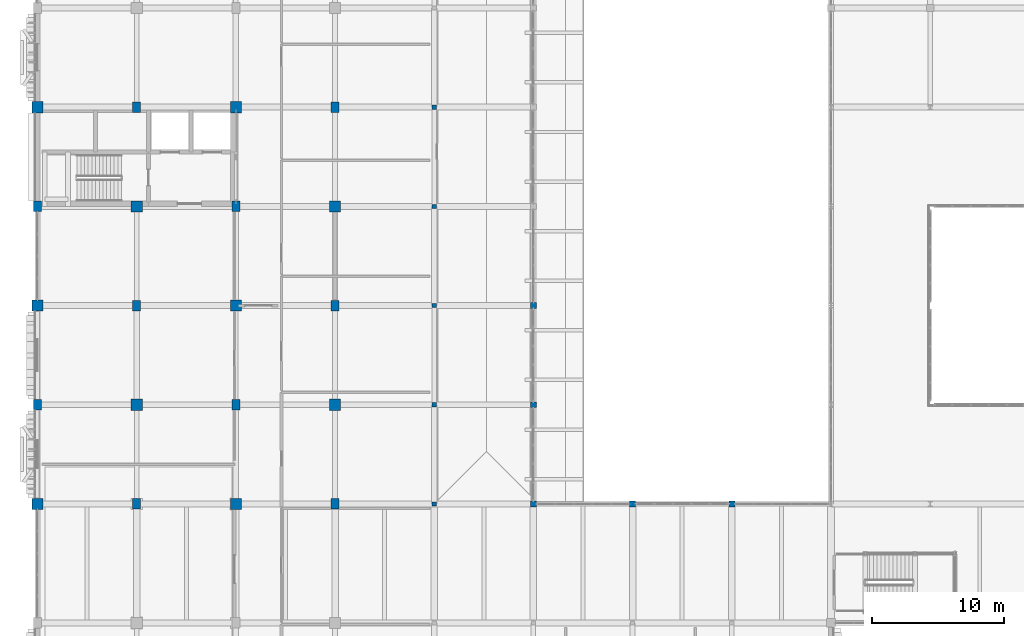
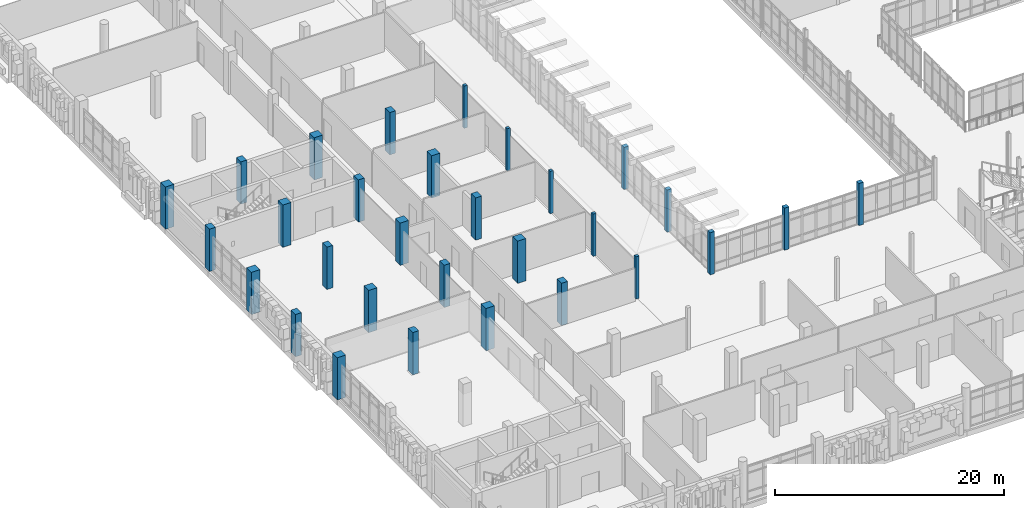
# One storey, part 3 of 128: 30 columns.
"""IFC4 building model written with IfcOpenShell, lengths in metres."""

from ifc_helpers import new_model, si_unit, direction, frame, origin, origin_2d, place, context, subcontext, project, spatial, rectangle, extrude, material, material_profile, profile_set, type_object, element, save


model = new_model("IFC4")

# Units and contexts
model_context = context("Model", 3, precision=1e-05, world=origin(), true_north=direction((0.0, 1.0)))
body_context = subcontext(model_context, "Body", "Model", "MODEL_VIEW")
ifc_project = project(units=[si_unit("LENGTHUNIT", "METRE"), si_unit("AREAUNIT", "SQUARE_METRE"), si_unit("VOLUMEUNIT", "CUBIC_METRE"), si_unit("PLANEANGLEUNIT", "RADIAN"), si_unit("MASSUNIT", "GRAM", prefix="KILO")], contexts=[model_context])

# Site, building, storey
site_placement = place(None, origin())
site = spatial("IfcSite", under=ifc_project, at=site_placement, CompositionType="ELEMENT")
building_placement = place(site_placement, origin())
building = spatial("IfcBuilding", under=site, at=building_placement, Name="Dalvernix Boulevard General Hospital", CompositionType="ELEMENT")
storey_placement = place(building_placement, frame((0.0, 0.0, 4.800048828125)))
storey = spatial("IfcBuildingStorey", under=building, at=storey_placement, Name="L01", CompositionType="ELEMENT", Elevation=4.800048828125)

# Columns
ifc_material_1 = material(Name="Concrete C40/50", Category="concrete")
ifc_material_profile_1 = material_profile(ifc_material_1, rectangle(XDim=0.85009765625, YDim=0.85009765625, at=origin_2d()), Name="RC 850x850")
ifc_profile_set_1 = profile_set([ifc_material_profile_1], Name="Concrete C40/50")
column_type_1 = type_object("IfcColumnType", Name="COL-C-02-E", PredefinedType="COLUMN", material=ifc_profile_set_1)
for number, where, z_axis, x_axis, name in (
    (1, (0.0, 31.5, 0.0), (0.0, 0.0, 1.0), (1.0, 0.0, 0.0), "L01 column 1E"),
    (2, (0.0, 46.5, 0.0), (0.0, 0.0, 1.0), (1.0, 0.0, 0.0), "L01 column 1G"),
    (3, (0.0, 61.5, 0.0), (0.0, 0.0, 1.0), (1.0, 0.0, 0.0), "L01 column 1J"),
):
    element("IfcColumn", number, at=place(storey_placement, frame(where, z_axis=z_axis, x_axis=x_axis)), inside=storey, type_object=column_type_1, Name=name, PredefinedType="COLUMN", context=body_context, shape_type="SweptSolid", body=[
        extrude(rectangle(XDim=0.85009765625, YDim=0.85009765625, at=origin_2d()), origin(), (0.0, 0.0, 1.0), 4.5),
    ])
ifc_material_profile_2 = material_profile(ifc_material_1, rectangle(XDim=0.85009765625, YDim=0.85009765625, at=origin_2d()), Name="RC 850x850")
ifc_profile_set_2 = profile_set([ifc_material_profile_2], Name="Concrete C40/50")
column_type_2 = type_object("IfcColumnType", Name="COL-C-02-I", PredefinedType="COLUMN", material=ifc_profile_set_2)
for number, where, z_axis, x_axis, name in (
    (4, (7.5, 39.0, 0.0), (0.0, 0.0, 1.0), (1.0, 0.0, 0.0), "L01 column 2F"),
    (5, (7.5, 54.0, 0.0), (0.0, 0.0, 1.0), (1.0, 0.0, 0.0), "L01 column 2H"),
    (6, (15.0, 31.5, 0.0), (0.0, 0.0, 1.0), (1.0, 0.0, 0.0), "L01 column 3E"),
    (7, (15.0, 46.5, 0.0), (0.0, 0.0, 1.0), (1.0, 0.0, 0.0), "L01 column 3G"),
    (8, (15.0, 61.5, 0.0), (0.0, 0.0, 1.0), (1.0, 0.0, 0.0), "L01 column 3J"),
    (9, (22.5, 39.0, 0.0), (0.0, 0.0, 1.0), (1.0, 0.0, 0.0), "L01 column 4F"),
    (10, (22.5, 54.0, 0.0), (0.0, 0.0, 1.0), (1.0, 0.0, 0.0), "L01 column 4H"),
):
    element("IfcColumn", number, at=place(storey_placement, frame(where, z_axis=z_axis, x_axis=x_axis)), inside=storey, type_object=column_type_2, Name=name, PredefinedType="COLUMN", context=body_context, shape_type="SweptSolid", body=[
        extrude(rectangle(XDim=0.85009765625, YDim=0.85009765625, at=origin_2d()), origin(), (0.0, 0.0, 1.0), 4.5),
    ])
ifc_material_profile_3 = material_profile(ifc_material_1, rectangle(XDim=0.449951171875, YDim=0.449951171875, at=origin_2d()), Name="RC 450x450")
ifc_profile_set_3 = profile_set([ifc_material_profile_3], Name="Concrete C40/50")
column_type_3 = type_object("IfcColumnType", Name="COL-C-10-E", PredefinedType="COLUMN", material=ifc_profile_set_3)
for number, where, z_axis, x_axis, name in (
    (11, (37.5, 31.5, 0.0), (0.0, 0.0, 1.0), (1.0, 0.0, 0.0), "L01 column 6E"),
    (12, (37.5, 39.0, 0.0), (0.0, 0.0, 1.0), (1.0, 0.0, 0.0), "L01 column 6F"),
    (13, (37.5, 46.5, 0.0), (0.0, 0.0, 1.0), (1.0, 0.0, 0.0), "L01 column 6G"),
    (14, (45.0, 31.5, 0.0), (0.0, 0.0, 1.0), (1.0, 0.0, 0.0), "L01 column 7E"),
    (15, (52.5, 31.5, 0.0), (0.0, 0.0, 1.0), (1.0, 0.0, 0.0), "L01 column 8E"),
):
    element("IfcColumn", number, at=place(storey_placement, frame(where, z_axis=z_axis, x_axis=x_axis)), inside=storey, type_object=column_type_3, Name=name, PredefinedType="COLUMN", context=body_context, shape_type="SweptSolid", body=[
        extrude(rectangle(XDim=0.449951171875, YDim=0.449951171875, at=origin_2d()), origin(), (0.0, 0.0, 1.0), 4.5),
    ])
ifc_material_profile_4 = material_profile(ifc_material_1, rectangle(XDim=0.60009765625, YDim=0.800048828125, at=origin_2d()), Name="RC 600x800")
ifc_profile_set_4 = profile_set([ifc_material_profile_4], Name="Concrete C40/50")
column_type_4 = type_object("IfcColumnType", Name="COL-C-11-E", PredefinedType="COLUMN", material=ifc_profile_set_4)
for number, where, z_axis, x_axis, name in (
    (16, (0.0, 39.0, 0.0), (0.0, 0.0, 1.0), (1.0, 0.0, 0.0), "L01 column 1F"),
    (17, (0.0, 54.0, 0.0), (0.0, 0.0, 1.0), (1.0, 0.0, 0.0), "L01 column 1H"),
):
    element("IfcColumn", number, at=place(storey_placement, frame(where, z_axis=z_axis, x_axis=x_axis)), inside=storey, type_object=column_type_4, Name=name, PredefinedType="COLUMN", context=body_context, shape_type="SweptSolid", body=[
        extrude(rectangle(XDim=0.60009765625, YDim=0.800048828125, at=origin_2d()), origin(), (0.0, 0.0, 1.0), 4.5),
    ])
ifc_material_profile_5 = material_profile(ifc_material_1, rectangle(XDim=0.60009765625, YDim=0.800048828125, at=origin_2d()), Name="RC 600x800")
ifc_profile_set_5 = profile_set([ifc_material_profile_5], Name="Concrete C40/50")
column_type_5 = type_object("IfcColumnType", Name="COL-C-11-I", PredefinedType="COLUMN", material=ifc_profile_set_5)
for number, where, z_axis, x_axis, name in (
    (18, (7.5, 31.5, 0.0), (0.0, 0.0, 1.0), (1.0, 0.0, 0.0), "L01 column 2E"),
    (19, (7.5, 46.5, 0.0), (0.0, 0.0, 1.0), (1.0, 0.0, 0.0), "L01 column 2G"),
    (20, (7.5, 61.5, 0.0), (0.0, 0.0, 1.0), (1.0, 0.0, 0.0), "L01 column 2J"),
    (21, (15.0, 39.0, 0.0), (0.0, 0.0, 1.0), (1.0, 0.0, 0.0), "L01 column 3F"),
    (22, (15.0, 54.0, 0.0), (0.0, 0.0, 1.0), (1.0, 0.0, 0.0), "L01 column 3H"),
    (23, (22.5, 31.5, 0.0), (0.0, 0.0, 1.0), (1.0, 0.0, 0.0), "L01 column 4E"),
    (24, (22.5, 46.5, 0.0), (0.0, 0.0, 1.0), (1.0, 0.0, 0.0), "L01 column 4G"),
    (25, (22.5, 61.5, 0.0), (0.0, 0.0, 1.0), (1.0, 0.0, 0.0), "L01 column 4J"),
):
    element("IfcColumn", number, at=place(storey_placement, frame(where, z_axis=z_axis, x_axis=x_axis)), inside=storey, type_object=column_type_5, Name=name, PredefinedType="COLUMN", context=body_context, shape_type="SweptSolid", body=[
        extrude(rectangle(XDim=0.60009765625, YDim=0.800048828125, at=origin_2d()), origin(), (0.0, 0.0, 1.0), 4.5),
    ])
ifc_material_2 = material(Name="Glulam GL28h", Category="wood")
ifc_material_profile_6 = material_profile(ifc_material_2, rectangle(XDim=0.320068359375, YDim=0.320068359375, at=origin_2d()), Name="GL28h 320x320")
ifc_profile_set_6 = profile_set([ifc_material_profile_6], Name="Glulam GL28h")
column_type_6 = type_object("IfcColumnType", Name="COL-C-20-I", PredefinedType="COLUMN", material=ifc_profile_set_6)
for number, where, z_axis, x_axis, name in (
    (26, (30.0, 31.5, 0.0), (0.0, 0.0, 1.0), (1.0, 0.0, 0.0), "L01 column 5E"),
    (27, (30.0, 39.0, 0.0), (0.0, 0.0, 1.0), (1.0, 0.0, 0.0), "L01 column 5F"),
    (28, (30.0, 46.5, 0.0), (0.0, 0.0, 1.0), (1.0, 0.0, 0.0), "L01 column 5G"),
    (29, (30.0, 54.0, 0.0), (0.0, 0.0, 1.0), (1.0, 0.0, 0.0), "L01 column 5H"),
    (30, (30.0, 61.5, 0.0), (0.0, 0.0, 1.0), (1.0, 0.0, 0.0), "L01 column 5J"),
):
    element("IfcColumn", number, at=place(storey_placement, frame(where, z_axis=z_axis, x_axis=x_axis)), inside=storey, type_object=column_type_6, Name=name, PredefinedType="COLUMN", context=body_context, shape_type="SweptSolid", body=[
        extrude(rectangle(XDim=0.320068359375, YDim=0.320068359375, at=origin_2d()), origin(), (0.0, 0.0, 1.0), 4.5),
    ])

save(model, "model.ifc")
